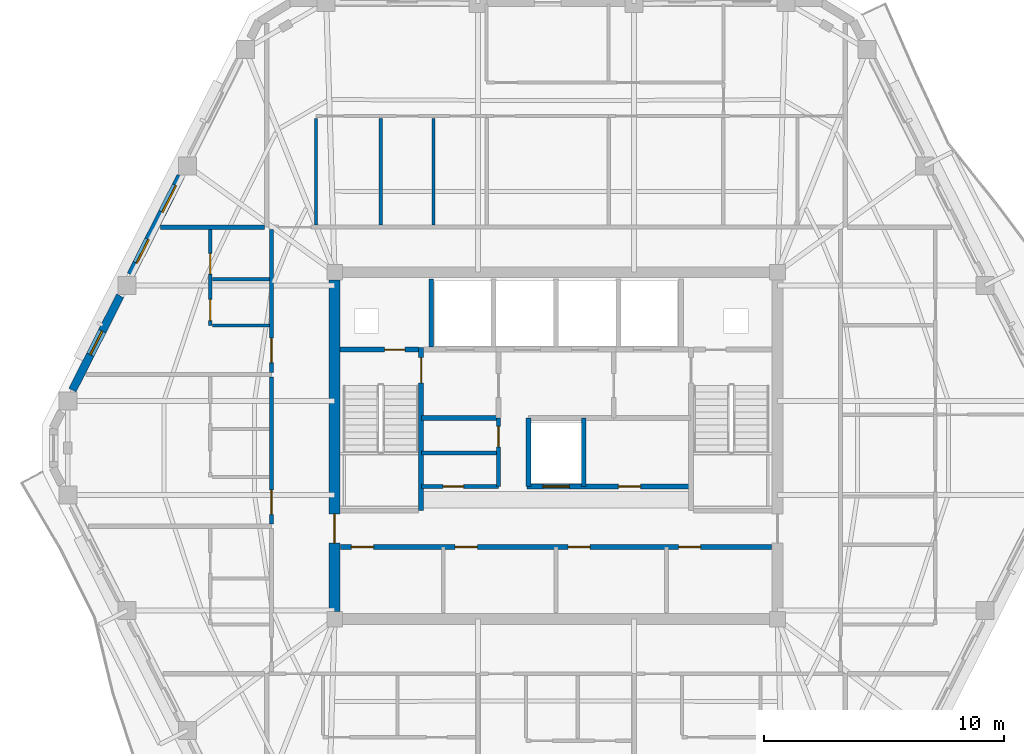
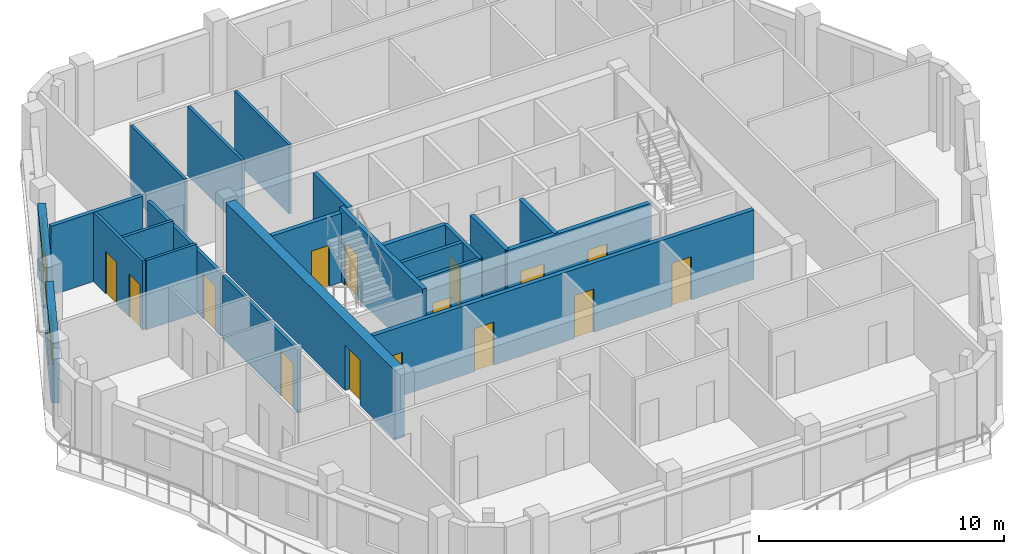
# One storey, part 5 of 11: 23 walls, 15 doors, 3 windows, 18 openings.
"""IFC4 building model written with IfcOpenShell, lengths in metres."""

import ifcopenshell
import ifcopenshell.guid

model = None  # the IFC model being written
_history = None  # IfcOwnerHistory: only IFC2X3 demands one
_inside = {}  # id of a spatial element -> (the spatial element, [elements in it])
_under = {}  # id of a project, library or spatial element -> (it, [spatial elements below it])
_declared = {}  # id of a project -> (the project, [libraries it declares])
_typed = {}  # id of a type object -> (the type object, [elements of that type])
_made_of = {}  # id of a material, layer set ... -> (it, [elements and type objects made of it])


def new_model(schema):
    """Start an empty IFC model of exactly this schema.

    Asked for "IFC4X3", IfcOpenShell would pick the latest addendum, in which some entities
    have other attributes; the version numbers below select the first issue.
    IFC2X3 requires an IfcOwnerHistory on every rooted entity: one is made here for all.
    """
    global model, _history
    if schema == "IFC4X3":
        model = ifcopenshell.file(schema_version=(4, 3, 0, 0))
    else:
        model = ifcopenshell.file(schema=schema)
    _inside.clear()
    _under.clear()
    _declared.clear()
    _typed.clear()
    _made_of.clear()
    _history = None
    if model.schema == "IFC2X3":
        org = make("IfcOrganization", Name="unknown")
        user = make(
            "IfcPersonAndOrganization",
            ThePerson=make("IfcPerson", FamilyName="unknown"),
            TheOrganization=org,
        )
        app = make(
            "IfcApplication",
            ApplicationDeveloper=org,
            Version="unknown",
            ApplicationFullName="unknown",
            ApplicationIdentifier="unknown",
        )
        _history = make(
            "IfcOwnerHistory",
            OwningUser=user,
            OwningApplication=app,
            ChangeAction="ADDED",
            CreationDate=0,
        )
    return model


def make(cls, **values):
    """One entity of the class cls with the attributes given. An attribute that is None is left unset."""
    return model.create_entity(
        cls, **{name: value for name, value in values.items() if value is not None}
    )


def rooted(cls, **values):
    """An entity with a GlobalId (a new one), such as an element, a storey or a relation."""
    return make(cls, GlobalId=ifcopenshell.guid.new(), OwnerHistory=_history, **values)


def si_unit(unit_type, name, prefix=None):
    """IfcSIUnit, for example si_unit("LENGTHUNIT", "METRE", prefix="MILLI")."""
    return make("IfcSIUnit", UnitType=unit_type, Prefix=prefix, Name=name)


def assignment(units):
    """IfcUnitAssignment: the units of a project."""
    return None if units is None else make("IfcUnitAssignment", Units=units)


def point(xyz):
    """IfcCartesianPoint."""
    return None if xyz is None else make("IfcCartesianPoint", Coordinates=xyz)


def direction(xyz):
    """IfcDirection."""
    return None if xyz is None else make("IfcDirection", DirectionRatios=xyz)


def frame(location, z_axis=None, x_axis=None):
    """IfcAxis2Placement3D, a coordinate frame: its origin and axes. An axis left out is left unset."""
    return make(
        "IfcAxis2Placement3D",
        Location=point(location),
        Axis=direction(z_axis),
        RefDirection=direction(x_axis),
    )


def frame_2d(location, x_axis=None):
    """IfcAxis2Placement2D, a coordinate frame in the plane: its origin and x axis."""
    return make(
        "IfcAxis2Placement2D", Location=point(location), RefDirection=direction(x_axis)
    )


def origin():
    """The frame at (0, 0, 0) with its axes left unset."""
    return frame((0.0, 0.0, 0.0))


def place(relative_to, where):
    """IfcLocalPlacement: puts the frame where relative to a parent placement (None: the world)."""
    return make(
        "IfcLocalPlacement", PlacementRelTo=relative_to, RelativePlacement=where
    )


def context(
    kind, dimensions, precision=None, world=None, true_north=None, identifier=None
):
    """IfcGeometricRepresentationContext, for example the 3D "Model" context."""
    return make(
        "IfcGeometricRepresentationContext",
        ContextIdentifier=identifier,
        ContextType=kind,
        CoordinateSpaceDimension=dimensions,
        Precision=precision,
        WorldCoordinateSystem=world,
        TrueNorth=true_north,
    )


def subcontext(parent, identifier, kind, view, scale=None):
    """IfcGeometricRepresentationSubContext, for example "Body" below "Model"."""
    return make(
        "IfcGeometricRepresentationSubContext",
        ContextIdentifier=identifier,
        ContextType=kind,
        ParentContext=parent,
        TargetScale=scale,
        TargetView=view,
    )


def project(units=None, contexts=None):
    """IfcProject with its units and contexts."""
    return rooted(
        "IfcProject",
        Name="project",
        RepresentationContexts=contexts,
        UnitsInContext=assignment(units),
    )


def spatial(cls, under=None, at=None, **own):
    """A site, building, storey or space (cls), placed at a placement, below another one or the project."""
    s = rooted(cls, ObjectPlacement=at, **own)
    if under is not None:
        _under.setdefault(under.id(), (under, []))[1].append(s)
    return s


def profile(cls, at=None, kind="AREA", **sizes):
    """A parametric profile (cls). Its sizes go by their IFC names, for example OverallWidth=200.0."""
    return make(cls, ProfileType=kind, Position=at, **sizes)


def rectangle(**sizes):
    """IfcRectangleProfileDef."""
    return profile("IfcRectangleProfileDef", **sizes)


def extrude(swept, where, along, depth):
    """IfcExtrudedAreaSolid: the profile swept, set in the frame where, extruded along a direction by depth."""
    return make(
        "IfcExtrudedAreaSolid",
        SweptArea=swept,
        Position=where,
        ExtrudedDirection=direction(along),
        Depth=depth,
    )


def shape(context_of_items, identifier, shape_type, items):
    """IfcShapeRepresentation: the items that make up one representation, for example the "Body"."""
    return make(
        "IfcShapeRepresentation",
        ContextOfItems=context_of_items,
        RepresentationIdentifier=identifier,
        RepresentationType=shape_type,
        Items=items,
    )


def material(Name=None, Category=None):
    """IfcMaterial."""
    return make("IfcMaterial", Name=Name, Category=Category)


def layer(
    of_material, thickness, ventilated=None, Name=None, Category=None, Priority=None
):
    """IfcMaterialLayer: one layer of a wall or slab, of a material (None: an air gap)."""
    return make(
        "IfcMaterialLayer",
        Material=of_material,
        LayerThickness=thickness,
        IsVentilated=ventilated,
        Name=Name,
        Category=Category,
        Priority=Priority,
    )


def layer_set(layers, Name=None):
    """IfcMaterialLayerSet."""
    return make("IfcMaterialLayerSet", MaterialLayers=layers, LayerSetName=Name)


def made_of(thing, what):
    """Note that an element or type object is made of a material, layer set ...; save() writes the relation."""
    if what is not None:
        _made_of.setdefault(what.id(), (what, []))[1].append(thing)
    return thing


def type_object(cls, material=None, **own):
    """A type object (cls), such as IfcWallType, which elements share."""
    return made_of(rooted(cls, **own), material)


def element(
    cls,
    number,
    at=None,
    inside=None,
    cuts=None,
    type_object=None,
    material=None,
    context=None,
    identifier="Body",
    shape_type=None,
    held_by="IfcProductDefinitionShape",
    body=None,
    shapes=None,
    **own,
):
    """One element of the class cls, such as IfcWall. Its Tag is "e" and its number.

    at: its placement. inside: the storey or other place that contains it. cuts: it is an
    opening in that element (IfcRelVoidsElement). A single representation is given by context,
    identifier, shape_type and body (its items); several are given by shapes. held_by: the class
    of the entity that holds the representations. save() writes the other relations.
    """
    e = rooted(cls, Tag="e%d" % number, ObjectPlacement=at, **own)
    if body is not None:
        shapes = [shape(context, identifier, shape_type, body)]
    if shapes is not None:
        e.Representation = make(held_by, Representations=shapes)
    if inside is not None:
        _inside.setdefault(inside.id(), (inside, []))[1].append(e)
    if cuts is not None:
        rooted(
            "IfcRelVoidsElement", RelatingBuildingElement=cuts, RelatedOpeningElement=e
        )
    if type_object is not None:
        _typed.setdefault(type_object.id(), (type_object, []))[1].append(e)
    return made_of(e, material)


def fill(opening, filler):
    """IfcRelFillsElement: the door or window that sits in an opening."""
    return rooted(
        "IfcRelFillsElement",
        RelatingOpeningElement=opening,
        RelatedBuildingElement=filler,
    )


def aggregate(whole, parts):
    """IfcRelAggregates: a whole, such as a stair, and the parts it consists of."""
    return rooted("IfcRelAggregates", RelatingObject=whole, RelatedObjects=parts)


def save(model, path):
    """Write the relations noted so far, then the file.

    IfcRelAggregates (storeys below a building ...), IfcRelContainedInSpatialStructure (elements
    in a storey), IfcRelDefinesByType, IfcRelAssociatesMaterial and IfcRelDeclares: one each for
    every whole, place, type object, material and project.
    """
    for whole, parts in _under.values():
        aggregate(whole, parts)
    for where, things in _inside.values():
        rooted(
            "IfcRelContainedInSpatialStructure",
            RelatedElements=things,
            RelatingStructure=where,
        )
    for kind, things in _typed.values():
        rooted("IfcRelDefinesByType", RelatedObjects=things, RelatingType=kind)
    for what, things in _made_of.values():
        rooted("IfcRelAssociatesMaterial", RelatedObjects=things, RelatingMaterial=what)
    for by, libraries in _declared.values():
        rooted("IfcRelDeclares", RelatingContext=by, RelatedDefinitions=libraries)
    model.write(path)


model = new_model("IFC4")

# Units and contexts
model_context = context("Model", 3, precision=1e-05, world=origin(), true_north=direction((0.0, 1.0)))
body_context = subcontext(model_context, "Body", "Model", "MODEL_VIEW")
ifc_project = project(units=[si_unit("LENGTHUNIT", "METRE"), si_unit("AREAUNIT", "SQUARE_METRE"), si_unit("VOLUMEUNIT", "CUBIC_METRE"), si_unit("PLANEANGLEUNIT", "RADIAN"), si_unit("MASSUNIT", "GRAM", prefix="KILO")], contexts=[model_context])

# Site, building, storey
site_placement = place(None, origin())
site = spatial("IfcSite", under=ifc_project, at=site_placement, CompositionType="ELEMENT")
building_placement = place(site_placement, origin())
building = spatial("IfcBuilding", under=site, at=building_placement, Name="Cinnabar Lancet Tower", CompositionType="ELEMENT")
storey_placement = place(building_placement, frame((0.0, 0.0, 245.25)))
storey = spatial("IfcBuildingStorey", under=building, at=storey_placement, Name="L65", CompositionType="ELEMENT", Elevation=245.25)

# Wall, opening, door
ifc_material_1 = material(Name="Acoustic twin-stud gypsum partition", Category="gypsum")
ifc_layer_1 = layer(ifc_material_1, 0.159912109375)
ifc_layer_set_1 = layer_set([ifc_layer_1], Name="Acoustic twin-stud gypsum partition")
wall_type_1 = type_object("IfcWallType", Name="ARC-WL-CORR-160", PredefinedType="PARTITIONING", material=ifc_layer_set_1)
wall_1_placement = place(storey_placement, frame((26.800048828125, 24.199951171875, 0.0), z_axis=(0.0, 0.0, 1.0), x_axis=(1.0, 0.0, 0.0)))
wall_1 = element("IfcWall", 1, at=wall_1_placement, inside=storey, type_object=wall_type_1, Name="CW-REC5S-L65", PredefinedType="PARTITIONING", context=body_context, shape_type="SweptSolid", body=[
    extrude(rectangle(XDim=3.199951171875, YDim=0.159912109375, at=frame_2d((1.60009765625, 0.0))), origin(), (0.0, 0.0, 1.0), 3.449951171875),
])
opening_1_placement = place(wall_1_placement, frame((0.89990234375, 0.0, 0.0)))
opening_1 = element("IfcOpeningElement", 2, at=opening_1_placement, cuts=wall_1, Name="Opening PD-02", PredefinedType="OPENING", context=body_context, shape_type="SweptSolid", body=[
    extrude(rectangle(XDim=0.85009765625, YDim=2.050048828125, at=frame_2d((0.425048828125, 1.02490234375))), frame((0.0, 0.08984375, 0.0), z_axis=(0.0, -1.0, 0.0), x_axis=(1.0, 0.0, 0.0)), (0.0, 0.0, 1.0), 0.179931640625),
])
ifc_material_2 = material(Name="Fire-rated steel riser access door", Category="steel")
door_type_1 = type_object("IfcDoorType", Name="ARC-DR-RISER", OperationType="NOTDEFINED", PredefinedType="DOOR", material=ifc_material_2)
door_1_placement = place(opening_1_placement, origin())
door_1 = element("IfcDoor", 3, at=door_1_placement, inside=storey, type_object=door_type_1, Name="DR-L65-REC5S", OperationType="SINGLE_SWING_LEFT", OverallHeight=2.050048828125, OverallWidth=0.85009765625, PredefinedType="DOOR", context=body_context, shape_type="SweptSolid", body=[
    extrude(rectangle(XDim=0.85009765625, YDim=2.050048828125, at=frame_2d((0.425048828125, 1.02490234375))), frame((0.0, 0.02490234375, 0.0), z_axis=(0.0, -1.0, 0.0), x_axis=(1.0, 0.0, 0.0)), (0.0, 0.0, 1.0), 0.050048828125),
])
fill(opening_1, door_1)

wall_2_placement = place(storey_placement, frame((30.0, 24.199951171875, 0.0), z_axis=(0.0, 0.0, 1.0), x_axis=(0.0, 1.0, 0.0)))
wall_2 = element("IfcWall", 4, at=wall_2_placement, inside=storey, type_object=wall_type_1, Name="CW-REC5E-L65", PredefinedType="PARTITIONING", context=body_context, shape_type="SweptSolid", body=[
    extrude(rectangle(XDim=2.85009765625, YDim=0.159912109375, at=frame_2d((1.425048828125, 0.0))), origin(), (0.0, 0.0, 1.0), 3.449951171875),
])
opening_2_placement = place(wall_2_placement, frame((1.64990234375, 0.0, 0.0)))
opening_2 = element("IfcOpeningElement", 5, at=opening_2_placement, cuts=wall_2, Name="Opening PD-02", PredefinedType="OPENING", context=body_context, shape_type="SweptSolid", body=[
    extrude(rectangle(XDim=0.85009765625, YDim=2.050048828125, at=frame_2d((0.425048828125, 1.02490234375))), frame((0.0, 0.08984375, 0.0), z_axis=(0.0, -1.0, 0.0), x_axis=(1.0, 0.0, 0.0)), (0.0, 0.0, 1.0), 0.179931640625),
])
door_2_placement = place(opening_2_placement, origin())
door_2 = element("IfcDoor", 6, at=door_2_placement, inside=storey, type_object=door_type_1, Name="DR-L65-REC5N", OperationType="SINGLE_SWING_RIGHT", OverallHeight=2.050048828125, OverallWidth=0.85009765625, PredefinedType="DOOR", context=body_context, shape_type="SweptSolid", body=[
    extrude(rectangle(XDim=0.85009765625, YDim=2.050048828125, at=frame_2d((0.425048828125, 1.02490234375))), frame((0.0, 0.02490234375, 0.0), z_axis=(0.0, -1.0, 0.0), x_axis=(1.0, 0.0, 0.0)), (0.0, 0.0, 1.0), 0.050048828125),
])
fill(opening_2, door_2)

# Wall
wall_3_placement = place(storey_placement, frame((26.800048828125, 25.60009765625, 0.0), z_axis=(0.0, 0.0, 1.0), x_axis=(1.0, 0.0, 0.0)))
element("IfcWall", 7, at=wall_3_placement, inside=storey, type_object=wall_type_1, Name="CW-REC5HZ-L65", PredefinedType="PARTITIONING", context=body_context, shape_type="SweptSolid", body=[
    extrude(rectangle(XDim=3.199951171875, YDim=0.159912109375, at=frame_2d((1.60009765625, 0.0))), origin(), (0.0, 0.0, 1.0), 3.449951171875),
])

# Wall, opening, door
wall_4_placement = place(storey_placement, frame((20.550048828125, 22.633056640625, 0.0), z_axis=(0.0, 0.0, 1.0), x_axis=(0.0, 1.0, 0.0)))
wall_4 = element("IfcWall", 8, at=wall_4_placement, inside=storey, type_object=wall_type_1, Name="UW-L65-W02-COR", PredefinedType="PARTITIONING", context=body_context, shape_type="SweptSolid", body=[
    extrude(rectangle(XDim=6.134033203125, YDim=0.159912109375, at=frame_2d((3.06689453125, 0.0))), origin(), (0.0, 0.0, 1.0), 3.136962890625),
])
opening_3_placement = place(wall_4_placement, frame((0.39990234375, 0.0, 0.0)))
opening_3 = element("IfcOpeningElement", 9, at=opening_3_placement, cuts=wall_4, Name="Opening UD-01", PredefinedType="OPENING", context=body_context, shape_type="SweptSolid", body=[
    extrude(rectangle(XDim=1.02001953125, YDim=2.25, at=frame_2d((0.510009765625, 1.125))), frame((0.0, 0.08984375, 0.0), z_axis=(0.0, -1.0, 0.0), x_axis=(1.0, 0.0, 0.0)), (0.0, 0.0, 1.0), 0.179931640625),
])
ifc_material_3 = material(Name="Solid timber fire-rated apartment entrance door", Category="wood")
door_type_2 = type_object("IfcDoorType", Name="ARC-DR-UNIT", OperationType="NOTDEFINED", PredefinedType="DOOR", material=ifc_material_3)
door_3_placement = place(opening_3_placement, origin())
door_3 = element("IfcDoor", 10, at=door_3_placement, inside=storey, type_object=door_type_2, Name="DR-L65-W02-ENT", OperationType="SINGLE_SWING_LEFT", OverallHeight=2.25, OverallWidth=1.02001953125, PredefinedType="DOOR", context=body_context, shape_type="SweptSolid", body=[
    extrude(rectangle(XDim=1.02001953125, YDim=2.25, at=frame_2d((0.510009765625, 1.125))), frame((0.0, 0.02490234375, 0.0), z_axis=(0.0, -1.0, 0.0), x_axis=(1.0, 0.0, 0.0)), (0.0, 0.0, 1.0), 0.050048828125),
])
fill(opening_3, door_3)

wall_5_placement = place(storey_placement, frame((20.550048828125, 28.95703125, 0.0), z_axis=(0.0, 0.0, 1.0), x_axis=(0.0, 1.0, 0.0)))
wall_5 = element("IfcWall", 11, at=wall_5_placement, inside=storey, type_object=wall_type_1, Name="UW-L65-W03-COR", PredefinedType="PARTITIONING", context=body_context, shape_type="SweptSolid", body=[
    extrude(rectangle(XDim=5.947998046875, YDim=0.159912109375, at=frame_2d((2.97412109375, 0.0))), origin(), (0.0, 0.0, 1.0), 3.136962890625),
])
opening_4_placement = place(wall_5_placement, frame((0.39990234375, 0.0, 0.0)))
opening_4 = element("IfcOpeningElement", 12, at=opening_4_placement, cuts=wall_5, Name="Opening UD-01", PredefinedType="OPENING", context=body_context, shape_type="SweptSolid", body=[
    extrude(rectangle(XDim=1.02001953125, YDim=2.25, at=frame_2d((0.510009765625, 1.125))), frame((0.0, 0.08984375, 0.0), z_axis=(0.0, -1.0, 0.0), x_axis=(1.0, 0.0, 0.0)), (0.0, 0.0, 1.0), 0.179931640625),
])
door_4_placement = place(opening_4_placement, origin())
door_4 = element("IfcDoor", 13, at=door_4_placement, inside=storey, type_object=door_type_2, Name="DR-L65-W03-ENT", OperationType="SINGLE_SWING_RIGHT", OverallHeight=2.25, OverallWidth=1.02001953125, PredefinedType="DOOR", context=body_context, shape_type="SweptSolid", body=[
    extrude(rectangle(XDim=1.02001953125, YDim=2.25, at=frame_2d((0.510009765625, 1.125))), frame((0.0, 0.02490234375, 0.0), z_axis=(0.0, -1.0, 0.0), x_axis=(1.0, 0.0, 0.0)), (0.0, 0.0, 1.0), 0.050048828125),
])
fill(opening_4, door_4)

# Wall
ifc_material_4 = material(Name="Fire-rated twin-frame acoustic drywall", Category="gypsum")
ifc_layer_2 = layer(ifc_material_4, 0.179931640625)
ifc_layer_set_2 = layer_set([ifc_layer_2], Name="Fire-rated twin-frame acoustic drywall")
wall_type_2 = type_object("IfcWallType", Name="ARC-WL-PARTY-180", PredefinedType="PARTITIONING", material=ifc_layer_set_2)
wall_6_placement = place(storey_placement, frame((15.93310546875, 35.0, 0.0), z_axis=(0.0, 0.0, 1.0), x_axis=(1.0, 0.0, 0.0)))
element("IfcWall", 14, at=wall_6_placement, inside=storey, type_object=wall_type_2, Name="PW-L65-WNB", PredefinedType="PARTITIONING", context=body_context, shape_type="SweptSolid", body=[
    extrude(rectangle(XDim=4.32177734375, YDim=0.179931640625, at=frame_2d((2.160888671875, 0.0))), origin(), (0.0, 0.0, 1.0), 3.449951171875),
])

# Wall, opening, door
ifc_material_5 = material(Name="Autoclaved aerated concrete blockwork", Category="masonry")
ifc_layer_3 = layer(ifc_material_5, 0.199951171875)
ifc_layer_set_3 = layer_set([ifc_layer_3], Name="Autoclaved aerated concrete blockwork")
wall_type_3 = type_object("IfcWallType", Name="ARC-WL-SHAFT-200", PredefinedType="PLUMBINGWALL", material=ifc_layer_set_3)
wall_7_placement = place(storey_placement, frame((23.405029296875, 29.89990234375, 0.0), z_axis=(0.0, 0.0, 1.0), x_axis=(1.0, 0.0, 0.0)))
wall_7 = element("IfcWall", 15, at=wall_7_placement, inside=storey, type_object=wall_type_3, Name="CW-NSH-W-L65", PredefinedType="PLUMBINGWALL", context=body_context, shape_type="SweptSolid", body=[
    extrude(rectangle(XDim=3.27001953125, YDim=0.199951171875, at=frame_2d((1.635009765625, 0.0))), origin(), (0.0, 0.0, 1.0), 3.449951171875),
])
opening_5_placement = place(wall_7_placement, frame((1.85009765625, 0.0, 0.0)))
opening_5 = element("IfcOpeningElement", 16, at=opening_5_placement, cuts=wall_7, Name="Opening PD-02", PredefinedType="OPENING", context=body_context, shape_type="SweptSolid", body=[
    extrude(rectangle(XDim=0.85009765625, YDim=2.050048828125, at=frame_2d((0.425048828125, 1.02490234375))), frame((0.0, 0.10986328125, 0.0), z_axis=(0.0, -1.0, 0.0), x_axis=(1.0, 0.0, 0.0)), (0.0, 0.0, 1.0), 0.219970703125),
])
door_5_placement = place(opening_5_placement, origin())
door_5 = element("IfcDoor", 17, at=door_5_placement, inside=storey, type_object=door_type_1, Name="L65 West Riser Access Door", OperationType="SINGLE_SWING_LEFT", OverallHeight=2.050048828125, OverallWidth=0.85009765625, PredefinedType="DOOR", context=body_context, shape_type="SweptSolid", body=[
    extrude(rectangle(XDim=0.85009765625, YDim=2.050048828125, at=frame_2d((0.425048828125, 1.02490234375))), frame((0.0, 0.02490234375, 0.0), z_axis=(0.0, -1.0, 0.0), x_axis=(1.0, 0.0, 0.0)), (0.0, 0.0, 1.0), 0.050048828125),
])
fill(opening_5, door_5)

# Walls
wall_8_placement = place(storey_placement, frame((27.199951171875, 30.0, 0.0), z_axis=(0.0, 0.0, 1.0), x_axis=(0.0, 1.0, 0.0)))
element("IfcWall", 18, at=wall_8_placement, inside=storey, type_object=wall_type_3, Name="CW-NSH-D1-L65", PredefinedType="PLUMBINGWALL", context=body_context, shape_type="SweptSolid", body=[
    extrude(rectangle(XDim=2.85009765625, YDim=0.199951171875, at=frame_2d((1.425048828125, 0.0))), origin(), (0.0, 0.0, 1.0), 3.449951171875),
])
wall_9_placement = place(storey_placement, frame((26.800048828125, 27.050048828125, 0.0), z_axis=(0.0, 0.0, 1.0), x_axis=(1.0, 0.0, 0.0)))
element("IfcWall", 19, at=wall_9_placement, inside=storey, type_object=wall_type_3, Name="CW-FF1S-L65", PredefinedType="PLUMBINGWALL", context=body_context, shape_type="SweptSolid", body=[
    extrude(rectangle(XDim=3.199951171875, YDim=0.199951171875, at=frame_2d((1.60009765625, 0.0))), origin(), (0.0, 0.0, 1.0), 3.449951171875),
])

# Wall, openings, doors
wall_10_placement = place(storey_placement, frame((31.199951171875, 24.199951171875, 0.0), z_axis=(0.0, 0.0, 1.0), x_axis=(1.0, 0.0, 0.0)))
wall_10 = element("IfcWall", 20, at=wall_10_placement, inside=storey, type_object=wall_type_3, Name="CW-PL96S-L65", PredefinedType="PLUMBINGWALL", context=body_context, shape_type="SweptSolid", body=[
    extrude(rectangle(XDim=6.800048828125, YDim=0.199951171875, at=frame_2d((3.39990234375, 0.0))), origin(), (0.0, 0.0, 1.0), 3.449951171875),
])
opening_6_placement = place(wall_10_placement, frame((0.64990234375, 0.0, 0.0)))
opening_6 = element("IfcOpeningElement", 21, at=opening_6_placement, cuts=wall_10, Name="Opening LD-01", PredefinedType="OPENING", context=body_context, shape_type="SweptSolid", body=[
    extrude(rectangle(XDim=1.10009765625, YDim=2.199951171875, at=frame_2d((0.550048828125, 1.10009765625))), frame((0.0, 0.10986328125, 0.0), z_axis=(0.0, -1.0, 0.0), x_axis=(1.0, 0.0, 0.0)), (0.0, 0.0, 1.0), 0.219970703125),
])
opening_7_placement = place(wall_10_placement, frame((3.800048828125, 0.0, 0.0)))
opening_7 = element("IfcOpeningElement", 22, at=opening_7_placement, cuts=wall_10, Name="Opening RD-01", PredefinedType="OPENING", context=body_context, shape_type="SweptSolid", body=[
    extrude(rectangle(XDim=0.919921875, YDim=2.14990234375, at=frame_2d((0.4599609375, 1.074951171875))), frame((0.0, 0.10986328125, 0.0), z_axis=(0.0, -1.0, 0.0), x_axis=(1.0, 0.0, 0.0)), (0.0, 0.0, 1.0), 0.219970703125),
])
ifc_material_6 = material(Name="Brushed stainless steel sliding lift door", Category="steel")
door_type_3 = type_object("IfcDoorType", Name="ARC-DR-LD-PASS", OperationType="NOTDEFINED", PredefinedType="DOOR", material=ifc_material_6)
door_6_placement = place(opening_6_placement, origin())
door_6 = element("IfcDoor", 23, at=door_6_placement, inside=storey, type_object=door_type_3, Name="L65 Lift PL-9 Landing Door", OperationType="DOUBLE_DOOR_SLIDING", OverallHeight=2.199951171875, OverallWidth=1.10009765625, PredefinedType="DOOR", context=body_context, shape_type="SweptSolid", body=[
    extrude(rectangle(XDim=1.10009765625, YDim=2.199951171875, at=frame_2d((0.550048828125, 1.10009765625))), frame((0.0, 0.02490234375, 0.0), z_axis=(0.0, -1.0, 0.0), x_axis=(1.0, 0.0, 0.0)), (0.0, 0.0, 1.0), 0.050048828125),
])
fill(opening_6, door_6)
ifc_material_7 = material(Name="Engineered timber bedroom door", Category="wood")
door_type_4 = type_object("IfcDoorType", Name="ARC-DR-ROOM", OperationType="NOTDEFINED", PredefinedType="DOOR", material=ifc_material_7)
door_7_placement = place(opening_7_placement, origin())
door_7 = element("IfcDoor", 24, at=door_7_placement, inside=storey, type_object=door_type_4, Name="DR-L65-REC6", OperationType="SINGLE_SWING_RIGHT", OverallHeight=2.14990234375, OverallWidth=0.919921875, PredefinedType="DOOR", context=body_context, shape_type="SweptSolid", body=[
    extrude(rectangle(XDim=0.919921875, YDim=2.14990234375, at=frame_2d((0.4599609375, 1.074951171875))), frame((0.0, 0.02490234375, 0.0), z_axis=(0.0, -1.0, 0.0), x_axis=(1.0, 0.0, 0.0)), (0.0, 0.0, 1.0), 0.050048828125),
])
fill(opening_7, door_7)

# Walls
for number, where, z_axis, x_axis, name in (
    (25, (31.25, 24.199951171875, 0.0), (0.0, 0.0, 1.0), (0.0, 1.0, 0.0), "CW-PL9W-L65"),
    (26, (33.550048828125, 24.199951171875, 0.0), (0.0, 0.0, 1.0), (0.0, 1.0, 0.0), "CW-PL9E-L65"),
):
    element("IfcWall", number, at=place(storey_placement, frame(where, z_axis=z_axis, x_axis=x_axis)), inside=storey, type_object=wall_type_3, Name=name, PredefinedType="PLUMBINGWALL", context=body_context, shape_type="SweptSolid", body=[
        extrude(rectangle(XDim=2.85009765625, YDim=0.199951171875, at=frame_2d((1.425048828125, 0.0))), origin(), (0.0, 0.0, 1.0), 3.449951171875),
    ])

# Wall, openings, doors
wall_11_placement = place(storey_placement, frame((23.419921875, 21.679931640625, 0.0), z_axis=(0.0, 0.0, 1.0), x_axis=(1.0, 0.0, 0.0)))
wall_11 = element("IfcWall", 27, at=wall_11_placement, inside=storey, type_object=wall_type_3, Name="CW-SBANDN-L65", PredefinedType="PLUMBINGWALL", context=body_context, shape_type="SweptSolid", body=[
    extrude(rectangle(XDim=17.9599609375, YDim=0.199951171875, at=frame_2d((8.97998046875, 0.0))), origin(), (0.0, 0.0, 1.0), 3.449951171875),
])
opening_8_placement = place(wall_11_placement, frame((0.4599609375, 0.0, 0.0)))
opening_8 = element("IfcOpeningElement", 28, at=opening_8_placement, cuts=wall_11, Name="Opening RD-01", PredefinedType="OPENING", context=body_context, shape_type="SweptSolid", body=[
    extrude(rectangle(XDim=0.919921875, YDim=2.14990234375, at=frame_2d((0.4599609375, 1.074951171875))), frame((0.0, 0.10986328125, 0.0), z_axis=(0.0, -1.0, 0.0), x_axis=(1.0, 0.0, 0.0)), (0.0, 0.0, 1.0), 0.219970703125),
])
opening_9_placement = place(wall_11_placement, frame((4.780029296875, 0.0, 0.0)))
opening_9 = element("IfcOpeningElement", 29, at=opening_9_placement, cuts=wall_11, Name="Opening RD-01", PredefinedType="OPENING", context=body_context, shape_type="SweptSolid", body=[
    extrude(rectangle(XDim=0.919921875, YDim=2.14990234375, at=frame_2d((0.4599609375, 1.074951171875))), frame((0.0, 0.10986328125, 0.0), z_axis=(0.0, -1.0, 0.0), x_axis=(1.0, 0.0, 0.0)), (0.0, 0.0, 1.0), 0.219970703125),
])
opening_10_placement = place(wall_11_placement, frame((9.47998046875, 0.0, 0.0)))
opening_10 = element("IfcOpeningElement", 30, at=opening_10_placement, cuts=wall_11, Name="Opening RD-01", PredefinedType="OPENING", context=body_context, shape_type="SweptSolid", body=[
    extrude(rectangle(XDim=0.919921875, YDim=2.14990234375, at=frame_2d((0.4599609375, 1.074951171875))), frame((0.0, 0.10986328125, 0.0), z_axis=(0.0, -1.0, 0.0), x_axis=(1.0, 0.0, 0.0)), (0.0, 0.0, 1.0), 0.219970703125),
])
opening_11_placement = place(wall_11_placement, frame((14.080078125, 0.0, 0.0)))
opening_11 = element("IfcOpeningElement", 31, at=opening_11_placement, cuts=wall_11, Name="Opening RD-01", PredefinedType="OPENING", context=body_context, shape_type="SweptSolid", body=[
    extrude(rectangle(XDim=0.919921875, YDim=2.14990234375, at=frame_2d((0.4599609375, 1.074951171875))), frame((0.0, 0.10986328125, 0.0), z_axis=(0.0, -1.0, 0.0), x_axis=(1.0, 0.0, 0.0)), (0.0, 0.0, 1.0), 0.219970703125),
])
door_8_placement = place(opening_8_placement, origin())
door_8 = element("IfcDoor", 32, at=door_8_placement, inside=storey, type_object=door_type_4, Name="DR-L65-HREC1", OperationType="SINGLE_SWING_LEFT", OverallHeight=2.14990234375, OverallWidth=0.919921875, PredefinedType="DOOR", context=body_context, shape_type="SweptSolid", body=[
    extrude(rectangle(XDim=0.919921875, YDim=2.14990234375, at=frame_2d((0.4599609375, 1.074951171875))), frame((0.0, 0.02490234375, 0.0), z_axis=(0.0, -1.0, 0.0), x_axis=(1.0, 0.0, 0.0)), (0.0, 0.0, 1.0), 0.050048828125),
])
fill(opening_8, door_8)
door_9_placement = place(opening_9_placement, origin())
door_9 = element("IfcDoor", 33, at=door_9_placement, inside=storey, type_object=door_type_4, Name="DR-L65-HREC2", OperationType="SINGLE_SWING_RIGHT", OverallHeight=2.14990234375, OverallWidth=0.919921875, PredefinedType="DOOR", context=body_context, shape_type="SweptSolid", body=[
    extrude(rectangle(XDim=0.919921875, YDim=2.14990234375, at=frame_2d((0.4599609375, 1.074951171875))), frame((0.0, 0.02490234375, 0.0), z_axis=(0.0, -1.0, 0.0), x_axis=(1.0, 0.0, 0.0)), (0.0, 0.0, 1.0), 0.050048828125),
])
fill(opening_9, door_9)
door_10_placement = place(opening_10_placement, origin())
door_10 = element("IfcDoor", 34, at=door_10_placement, inside=storey, type_object=door_type_4, Name="DR-L65-HREC3", OperationType="SINGLE_SWING_LEFT", OverallHeight=2.14990234375, OverallWidth=0.919921875, PredefinedType="DOOR", context=body_context, shape_type="SweptSolid", body=[
    extrude(rectangle(XDim=0.919921875, YDim=2.14990234375, at=frame_2d((0.4599609375, 1.074951171875))), frame((0.0, 0.02490234375, 0.0), z_axis=(0.0, -1.0, 0.0), x_axis=(1.0, 0.0, 0.0)), (0.0, 0.0, 1.0), 0.050048828125),
])
fill(opening_10, door_10)
door_11_placement = place(opening_11_placement, origin())
door_11 = element("IfcDoor", 35, at=door_11_placement, inside=storey, type_object=door_type_4, Name="DR-L65-HREC4", OperationType="SINGLE_SWING_RIGHT", OverallHeight=2.14990234375, OverallWidth=0.919921875, PredefinedType="DOOR", context=body_context, shape_type="SweptSolid", body=[
    extrude(rectangle(XDim=0.919921875, YDim=2.14990234375, at=frame_2d((0.4599609375, 1.074951171875))), frame((0.0, 0.02490234375, 0.0), z_axis=(0.0, -1.0, 0.0), x_axis=(1.0, 0.0, 0.0)), (0.0, 0.0, 1.0), 0.050048828125),
])
fill(opening_11, door_11)

# Walls
ifc_material_8 = material(Name="Gypsum plasterboard stud partition", Category="gypsum")
ifc_layer_4 = layer(ifc_material_8, 0.125)
ifc_layer_set_4 = layer_set([ifc_layer_4], Name="Gypsum plasterboard stud partition")
wall_type_4 = type_object("IfcWallType", Name="ARC-WL-UNIT-125", PredefinedType="PARTITIONING", material=ifc_layer_set_4)
for number, where, z_axis, x_axis, name in (
    (36, (22.39990234375, 35.0849609375, 0.0), (0.0, 0.0, 1.0), (0.0, 1.0, 0.0), "UW-L65-N01-FOYE"),
    (37, (27.304931640625, 35.0849609375, 0.0), (0.0, 0.0, 1.0), (0.0, 1.0, 0.0), "UW-L65-N01-STD"),
):
    element("IfcWall", number, at=place(storey_placement, frame(where, z_axis=z_axis, x_axis=x_axis)), inside=storey, type_object=wall_type_4, Name=name, PredefinedType="PARTITIONING", context=body_context, shape_type="SweptSolid", body=[
        extrude(rectangle(XDim=4.43896484375, YDim=0.125, at=frame_2d((2.219482421875, 0.0))), origin(), (0.0, 0.0, 1.0), 3.449951171875),
    ])
wall_12_placement = place(storey_placement, frame((18.0849609375, 30.912109375, 0.0), z_axis=(0.0, 0.0, 1.0), x_axis=(1.0, 0.0, 0.0)))
element("IfcWall", 38, at=wall_12_placement, inside=storey, type_object=wall_type_4, Name="UW-L65-W03-FOYN", PredefinedType="PARTITIONING", context=body_context, shape_type="SweptSolid", body=[
    extrude(rectangle(XDim=2.380126953125, YDim=0.125, at=frame_2d((1.18994140625, 0.0))), origin(), (0.0, 0.0, 1.0), 3.449951171875),
])
ifc_material_9 = material(Name="Moisture-resistant cement-board plumbing wall", Category="masonry")
ifc_layer_5 = layer(ifc_material_9, 0.139892578125)
ifc_layer_set_5 = layer_set([ifc_layer_5], Name="Moisture-resistant cement-board plumbing wall")
wall_type_5 = type_object("IfcWallType", Name="ARC-WL-WET-140", PredefinedType="PLUMBINGWALL", material=ifc_layer_set_5)
wall_13_placement = place(storey_placement, frame((25.10107421875, 35.0849609375, 0.0), z_axis=(0.0, 0.0, 1.0), x_axis=(0.0, 1.0, 0.0)))
element("IfcWall", 39, at=wall_13_placement, inside=storey, type_object=wall_type_5, Name="UW-L65-N01-KDV", PredefinedType="PLUMBINGWALL", context=body_context, shape_type="SweptSolid", body=[
    extrude(rectangle(XDim=4.43896484375, YDim=0.139892578125, at=frame_2d((2.219482421875, 0.0))), origin(), (0.0, 0.0, 1.0), 3.449951171875),
])

# Wall, openings, doors
wall_14_placement = place(storey_placement, frame((18.0, 30.912109375, 0.0), z_axis=(0.0, 0.0, 1.0), x_axis=(0.0, 1.0, 0.0)))
wall_14 = element("IfcWall", 40, at=wall_14_placement, inside=storey, type_object=wall_type_5, Name="UW-L65-W03-SPL", PredefinedType="PLUMBINGWALL", context=body_context, shape_type="SweptSolid", body=[
    extrude(rectangle(XDim=3.992919921875, YDim=0.139892578125, at=frame_2d((1.99658203125, 0.0))), origin(), (0.0, 0.0, 1.0), 3.449951171875),
])
opening_12_placement = place(wall_14_placement, frame((2.136962890625, 0.0, 0.0)))
opening_12 = element("IfcOpeningElement", 41, at=opening_12_placement, cuts=wall_14, Name="Opening BD-01", PredefinedType="OPENING", context=body_context, shape_type="SweptSolid", body=[
    extrude(rectangle(XDim=0.860107421875, YDim=2.10009765625, at=frame_2d((0.43017578125, 1.050048828125))), frame((0.0, 0.079833984375, 0.0), z_axis=(0.0, -1.0, 0.0), x_axis=(1.0, 0.0, 0.0)), (0.0, 0.0, 1.0), 0.159912109375),
])
opening_13_placement = place(wall_14_placement, frame((0.199951171875, 0.0, 0.0)))
opening_13 = element("IfcOpeningElement", 42, at=opening_13_placement, cuts=wall_14, Name="Opening RD-02", PredefinedType="OPENING", context=body_context, shape_type="SweptSolid", body=[
    extrude(rectangle(XDim=0.8798828125, YDim=2.14990234375, at=frame_2d((0.43994140625, 1.074951171875))), frame((0.0, 0.079833984375, 0.0), z_axis=(0.0, -1.0, 0.0), x_axis=(1.0, 0.0, 0.0)), (0.0, 0.0, 1.0), 0.159912109375),
])
ifc_material_10 = material(Name="Moisture-resistant timber bathroom door", Category="wood")
door_type_5 = type_object("IfcDoorType", Name="ARC-DR-BATH", OperationType="NOTDEFINED", PredefinedType="DOOR", material=ifc_material_10)
door_12_placement = place(opening_12_placement, origin())
door_12 = element("IfcDoor", 43, at=door_12_placement, inside=storey, type_object=door_type_5, Name="DR-L65-W03-BTH", OperationType="SINGLE_SWING_RIGHT", OverallHeight=2.10009765625, OverallWidth=0.860107421875, PredefinedType="DOOR", context=body_context, shape_type="SweptSolid", body=[
    extrude(rectangle(XDim=0.860107421875, YDim=2.10009765625, at=frame_2d((0.43017578125, 1.050048828125))), frame((0.0, 0.02490234375, 0.0), z_axis=(0.0, -1.0, 0.0), x_axis=(1.0, 0.0, 0.0)), (0.0, 0.0, 1.0), 0.050048828125),
])
fill(opening_12, door_12)
ifc_material_11 = material(Name="Engineered timber study door", Category="wood")
door_type_6 = type_object("IfcDoorType", Name="ARC-DR-STUDY", OperationType="NOTDEFINED", PredefinedType="DOOR", material=ifc_material_11)
door_13_placement = place(opening_13_placement, origin())
door_13 = element("IfcDoor", 44, at=door_13_placement, inside=storey, type_object=door_type_6, Name="DR-L65-W03-KIT", OperationType="SINGLE_SWING_LEFT", OverallHeight=2.14990234375, OverallWidth=0.8798828125, PredefinedType="DOOR", context=body_context, shape_type="SweptSolid", body=[
    extrude(rectangle(XDim=0.8798828125, YDim=2.14990234375, at=frame_2d((0.43994140625, 1.074951171875))), frame((0.0, 0.02490234375, 0.0), z_axis=(0.0, -1.0, 0.0), x_axis=(1.0, 0.0, 0.0)), (0.0, 0.0, 1.0), 0.050048828125),
])
fill(opening_13, door_13)

# Wall
wall_15_placement = place(storey_placement, frame((18.0849609375, 32.8291015625, 0.0), z_axis=(0.0, 0.0, 1.0), x_axis=(1.0, 0.0, 0.0)))
element("IfcWall", 45, at=wall_15_placement, inside=storey, type_object=wall_type_5, Name="UW-L65-W03-KDV", PredefinedType="PLUMBINGWALL", context=body_context, shape_type="SweptSolid", body=[
    extrude(rectangle(XDim=2.380126953125, YDim=0.139892578125, at=frame_2d((1.18994140625, 0.0))), origin(), (0.0, 0.0, 1.0), 3.449951171875),
])

# Wall, openings, windows
ifc_material_12 = material(Name="Cinnabar red clay brick", Category="masonry")
ifc_layer_6 = layer(ifc_material_12, 0.340087890625)
ifc_layer_set_6 = layer_set([ifc_layer_6], Name="Cinnabar red clay brick")
wall_type_6 = type_object("IfcWallType", Name="ENV-WL-BRK-RED-340", PredefinedType="STANDARD", material=ifc_layer_set_6)
wall_16_placement = place(storey_placement, frame((16.76806640625, 37.126953125, 0.0), z_axis=(0.0, 0.0, 1.0), x_axis=(-0.451581819983, -0.892229712496, 0.0)))
wall_16 = element("IfcWall", 46, at=wall_16_placement, inside=storey, type_object=wall_type_6, Name="L65 Face 5 Masonry Bay Wall 3", PredefinedType="STANDARD", context=body_context, shape_type="SweptSolid", body=[
    extrude(rectangle(XDim=4.599609375, YDim=0.340087890625, at=frame_2d((2.2998046875, 0.0))), origin(), (0.0, 0.0, 1.0), 2.98291015625),
])
opening_14_placement = place(wall_16_placement, frame((0.43701171875, 0.0, 0.75)))
opening_14 = element("IfcOpeningElement", 47, at=opening_14_placement, cuts=wall_16, Name="Opening WN-03", PredefinedType="OPENING", context=body_context, shape_type="SweptSolid", body=[
    extrude(rectangle(XDim=1.25, YDim=1.949951171875, at=frame_2d((0.625, 0.97509765625))), frame((0.0, 0.179931640625, 0.0), z_axis=(0.0, -1.0, 0.0), x_axis=(1.0, 0.0, 0.0)), (0.0, 0.0, 1.0), 0.360107421875),
])
opening_15_placement = place(wall_16_placement, frame((2.962890625, 0.0, 0.75)))
opening_15 = element("IfcOpeningElement", 48, at=opening_15_placement, cuts=wall_16, Name="Opening WN-04", PredefinedType="OPENING", context=body_context, shape_type="SweptSolid", body=[
    extrude(rectangle(XDim=1.10009765625, YDim=2.0, at=frame_2d((0.550048828125, 1.0))), frame((0.0, 0.179931640625, 0.0), z_axis=(0.0, -1.0, 0.0), x_axis=(1.0, 0.0, 0.0)), (0.0, 0.0, 1.0), 0.360107421875),
])
ifc_material_13 = material(Name="Thermally broken bronze-anodized aluminium tall lancet window", Category="aluminium")
window_type_1 = type_object("IfcWindowType", Name="ENV-WN-LANCET-1100", PartitioningType="SINGLE_PANEL", PredefinedType="WINDOW", material=ifc_material_13)
window_1_placement = place(opening_15_placement, origin())
window_1 = element("IfcWindow", 49, at=window_1_placement, inside=storey, type_object=window_type_1, Name="L65 Split-Bay Gothic Lancet Window 231", OverallHeight=2.0, OverallWidth=1.10009765625, PartitioningType="SINGLE_PANEL", PredefinedType="WINDOW", context=body_context, shape_type="SweptSolid", body=[
    extrude(rectangle(XDim=1.10009765625, YDim=2.0, at=frame_2d((0.550048828125, 1.0))), frame((0.0, 0.030029296875, 0.0), z_axis=(0.0, -1.0, 0.0), x_axis=(1.0, 0.0, 0.0)), (0.0, 0.0, 1.0), 0.06005859375),
])
fill(opening_15, window_1)
ifc_material_14 = material(Name="Thermally broken bronze-anodized aluminium low-E double glazing", Category="aluminium")
window_type_2 = type_object("IfcWindowType", Name="ENV-WN-LANCET-1250", PartitioningType="SINGLE_PANEL", PredefinedType="WINDOW", material=ifc_material_14)
window_2_placement = place(opening_14_placement, origin())
window_2 = element("IfcWindow", 50, at=window_2_placement, inside=storey, type_object=window_type_2, Name="L65 Face 5 Gothic Lancet Window 3", OverallHeight=1.949951171875, OverallWidth=1.25, PartitioningType="SINGLE_PANEL", PredefinedType="WINDOW", context=body_context, shape_type="SweptSolid", body=[
    extrude(rectangle(XDim=1.25, YDim=1.949951171875, at=frame_2d((0.625, 0.97509765625))), frame((0.0, 0.030029296875, 0.0), z_axis=(0.0, -1.0, 0.0), x_axis=(1.0, 0.0, 0.0)), (0.0, 0.0, 1.0), 0.06005859375),
])
fill(opening_14, window_2)

# Wall, opening, window
wall_17_placement = place(storey_placement, frame((14.24609375, 32.14404296875, 0.0), z_axis=(0.0, 0.0, 1.0), x_axis=(-0.451285866323, -0.892379441077, 0.0)))
wall_17 = element("IfcWall", 51, at=wall_17_placement, inside=storey, type_object=wall_type_6, Name="L65 Face 5 Masonry Bay Wall 4", PredefinedType="STANDARD", context=body_context, shape_type="SweptSolid", body=[
    extrude(rectangle(XDim=4.407470703125, YDim=0.340087890625, at=frame_2d((2.20361328125, 0.0))), origin(), (0.0, 0.0, 1.0), 2.98291015625),
])
opening_16_placement = place(wall_17_placement, frame((1.654052734375, 0.0, 0.75)))
opening_16 = element("IfcOpeningElement", 52, at=opening_16_placement, cuts=wall_17, Name="Opening WN-04", PredefinedType="OPENING", context=body_context, shape_type="SweptSolid", body=[
    extrude(rectangle(XDim=1.10009765625, YDim=2.0, at=frame_2d((0.550048828125, 1.0))), frame((0.0, 0.179931640625, 0.0), z_axis=(0.0, -1.0, 0.0), x_axis=(1.0, 0.0, 0.0)), (0.0, 0.0, 1.0), 0.360107421875),
])
window_3_placement = place(opening_16_placement, origin())
window_3 = element("IfcWindow", 53, at=window_3_placement, inside=storey, type_object=window_type_1, Name="L65 Face 5 Gothic Lancet Window 4", OverallHeight=2.0, OverallWidth=1.10009765625, PartitioningType="SINGLE_PANEL", PredefinedType="WINDOW", context=body_context, shape_type="SweptSolid", body=[
    extrude(rectangle(XDim=1.10009765625, YDim=2.0, at=frame_2d((0.550048828125, 1.0))), frame((0.0, 0.030029296875, 0.0), z_axis=(0.0, -1.0, 0.0), x_axis=(1.0, 0.0, 0.0)), (0.0, 0.0, 1.0), 0.06005859375),
])
fill(opening_16, window_3)

# Wall, opening, door
ifc_material_15 = material(Name="Concrete C50/60", Category="concrete")
ifc_layer_7 = layer(ifc_material_15, 0.449951171875)
ifc_layer_set_7 = layer_set([ifc_layer_7], Name="Concrete C50/60")
wall_type_7 = type_object("IfcWallType", Name="STR-WL-CORE-450", PredefinedType="SHEAR", material=ifc_layer_set_7)
wall_18_placement = place(storey_placement, frame((23.175048828125, 19.0, 0.0), z_axis=(0.0, 0.0, 1.0), x_axis=(0.0, 1.0, 0.0)))
wall_18 = element("IfcWall", 54, at=wall_18_placement, inside=storey, type_object=wall_type_7, Name="L65 Core Shear Wall W", PredefinedType="SHEAR", context=body_context, shape_type="SweptSolid", body=[
    extrude(rectangle(XDim=13.800048828125, YDim=0.449951171875, at=frame_2d((6.89990234375, 0.0))), origin(), (0.0, 0.0, 1.0), 3.449951171875),
])
opening_17_placement = place(wall_18_placement, frame((2.840087890625, 0.0, 0.0)))
opening_17 = element("IfcOpeningElement", 55, at=opening_17_placement, cuts=wall_18, Name="Opening FD-02", PredefinedType="OPENING", context=body_context, shape_type="SweptSolid", body=[
    extrude(rectangle(XDim=1.219970703125, YDim=2.25, at=frame_2d((0.60986328125, 1.125))), frame((0.0, 0.23486328125, 0.0), z_axis=(0.0, -1.0, 0.0), x_axis=(1.0, 0.0, 0.0)), (0.0, 0.0, 1.0), 0.469970703125),
])
ifc_material_16 = material(Name="Fire-rated double-vision core portal door", Category="wood")
door_type_7 = type_object("IfcDoorType", Name="ARC-DR-CPORT", OperationType="NOTDEFINED", PredefinedType="DOOR", material=ifc_material_16)
door_14_placement = place(opening_17_placement, origin())
door_14 = element("IfcDoor", 56, at=door_14_placement, inside=storey, type_object=door_type_7, Name="L65 West Core Lobby Fire Door", OperationType="SINGLE_SWING_RIGHT", OverallHeight=2.25, OverallWidth=1.219970703125, PredefinedType="DOOR", context=body_context, shape_type="SweptSolid", body=[
    extrude(rectangle(XDim=1.219970703125, YDim=2.25, at=frame_2d((0.60986328125, 1.125))), frame((0.0, 0.02490234375, 0.0), z_axis=(0.0, -1.0, 0.0), x_axis=(1.0, 0.0, 0.0)), (0.0, 0.0, 1.0), 0.050048828125),
])
fill(opening_17, door_14)

ifc_material_17 = material(Name="Concrete C50/60", Category="concrete")
ifc_layer_8 = layer(ifc_material_17, 0.199951171875)
ifc_layer_set_8 = layer_set([ifc_layer_8], Name="Concrete C50/60")
wall_type_8 = type_object("IfcWallType", Name="STR-WL-STAIR-200", PredefinedType="SHEAR", material=ifc_layer_set_8)
wall_19_placement = place(storey_placement, frame((26.780029296875, 23.199951171875, 0.0), z_axis=(0.0, 0.0, 1.0), x_axis=(0.0, 1.0, 0.0)))
wall_19 = element("IfcWall", 57, at=wall_19_placement, inside=storey, type_object=wall_type_8, Name="L65 Stair ST-1 Structural Enclosure Wall", PredefinedType="SHEAR", context=body_context, shape_type="SweptSolid", body=[
    extrude(rectangle(XDim=6.780029296875, YDim=0.199951171875, at=frame_2d((3.39013671875, 0.0))), origin(), (0.0, 0.0, 1.0), 3.64990234375),
])
opening_18_placement = place(wall_19_placement, frame((5.320068359375, 0.0, 0.0)))
opening_18 = element("IfcOpeningElement", 58, at=opening_18_placement, cuts=wall_19, Name="Opening SD-01", PredefinedType="OPENING", context=body_context, shape_type="SweptSolid", body=[
    extrude(rectangle(XDim=1.050048828125, YDim=2.14990234375, at=frame_2d((0.52490234375, 1.074951171875))), frame((0.0, 0.10986328125, 0.0), z_axis=(0.0, -1.0, 0.0), x_axis=(1.0, 0.0, 0.0)), (0.0, 0.0, 1.0), 0.219970703125),
])
ifc_material_18 = material(Name="Fire-rated steel stair exit door", Category="steel")
door_type_8 = type_object("IfcDoorType", Name="ARC-DR-STAIR", OperationType="NOTDEFINED", PredefinedType="DOOR", material=ifc_material_18)
door_15_placement = place(opening_18_placement, origin())
door_15 = element("IfcDoor", 59, at=door_15_placement, inside=storey, type_object=door_type_8, Name="L65 Stair ST-1 Fire Door", OperationType="SINGLE_SWING_LEFT", OverallHeight=2.14990234375, OverallWidth=1.050048828125, PredefinedType="DOOR", context=body_context, shape_type="SweptSolid", body=[
    extrude(rectangle(XDim=1.050048828125, YDim=2.14990234375, at=frame_2d((0.52490234375, 1.074951171875))), frame((0.0, 0.02490234375, 0.0), z_axis=(0.0, -1.0, 0.0), x_axis=(1.0, 0.0, 0.0)), (0.0, 0.0, 1.0), 0.050048828125),
])
fill(opening_18, door_15)

save(model, "model.ifc")
